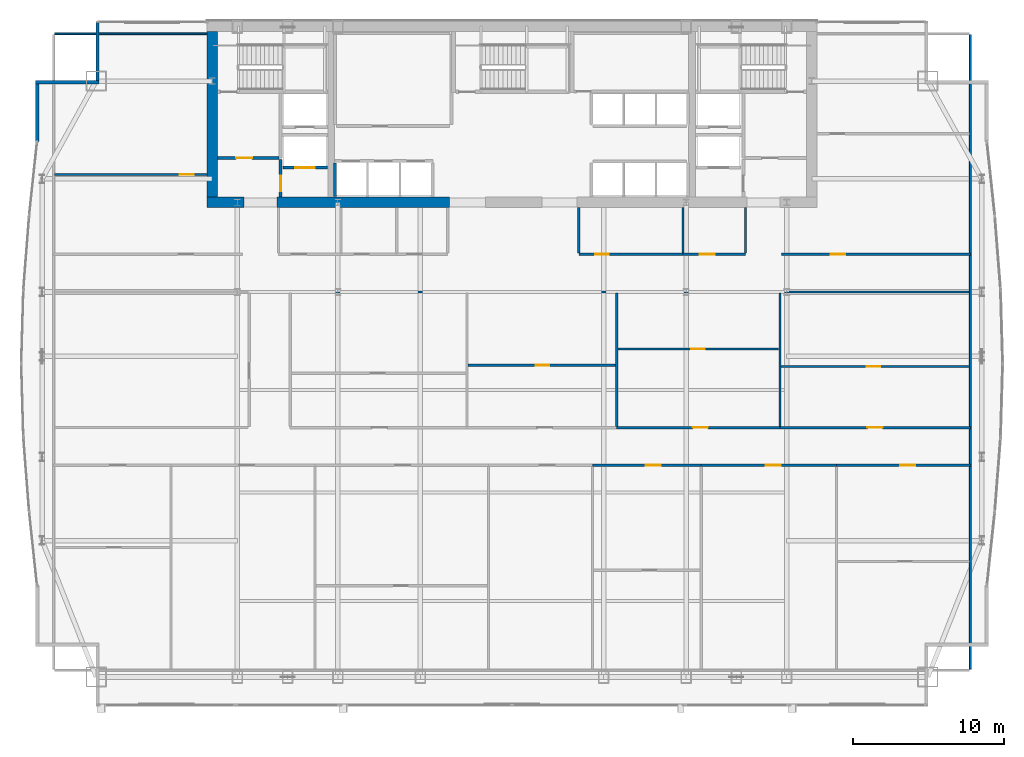
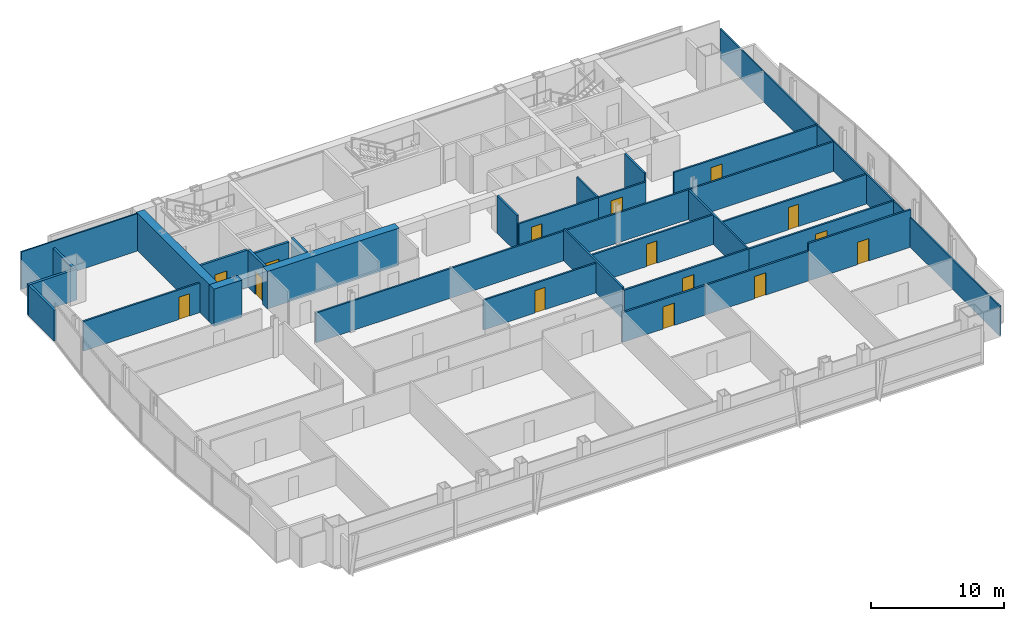
# One storey, part 25 of 29: 30 walls, 15 doors, 15 openings.
"""IFC4 building model written with IfcOpenShell, lengths in metres."""

import ifcopenshell
import ifcopenshell.guid

model = None  # the IFC model being written
_history = None  # IfcOwnerHistory: only IFC2X3 demands one
_inside = {}  # id of a spatial element -> (the spatial element, [elements in it])
_under = {}  # id of a project, library or spatial element -> (it, [spatial elements below it])
_declared = {}  # id of a project -> (the project, [libraries it declares])
_typed = {}  # id of a type object -> (the type object, [elements of that type])
_made_of = {}  # id of a material, layer set ... -> (it, [elements and type objects made of it])


def new_model(schema):
    """Start an empty IFC model of exactly this schema.

    Asked for "IFC4X3", IfcOpenShell would pick the latest addendum, in which some entities
    have other attributes; the version numbers below select the first issue.
    IFC2X3 requires an IfcOwnerHistory on every rooted entity: one is made here for all.
    """
    global model, _history
    if schema == "IFC4X3":
        model = ifcopenshell.file(schema_version=(4, 3, 0, 0))
    else:
        model = ifcopenshell.file(schema=schema)
    _inside.clear()
    _under.clear()
    _declared.clear()
    _typed.clear()
    _made_of.clear()
    _history = None
    if model.schema == "IFC2X3":
        org = make("IfcOrganization", Name="unknown")
        user = make(
            "IfcPersonAndOrganization",
            ThePerson=make("IfcPerson", FamilyName="unknown"),
            TheOrganization=org,
        )
        app = make(
            "IfcApplication",
            ApplicationDeveloper=org,
            Version="unknown",
            ApplicationFullName="unknown",
            ApplicationIdentifier="unknown",
        )
        _history = make(
            "IfcOwnerHistory",
            OwningUser=user,
            OwningApplication=app,
            ChangeAction="ADDED",
            CreationDate=0,
        )
    return model


def make(cls, **values):
    """One entity of the class cls with the attributes given. An attribute that is None is left unset."""
    return model.create_entity(
        cls, **{name: value for name, value in values.items() if value is not None}
    )


def rooted(cls, **values):
    """An entity with a GlobalId (a new one), such as an element, a storey or a relation."""
    return make(cls, GlobalId=ifcopenshell.guid.new(), OwnerHistory=_history, **values)


def si_unit(unit_type, name, prefix=None):
    """IfcSIUnit, for example si_unit("LENGTHUNIT", "METRE", prefix="MILLI")."""
    return make("IfcSIUnit", UnitType=unit_type, Prefix=prefix, Name=name)


def assignment(units):
    """IfcUnitAssignment: the units of a project."""
    return None if units is None else make("IfcUnitAssignment", Units=units)


def point(xyz):
    """IfcCartesianPoint."""
    return None if xyz is None else make("IfcCartesianPoint", Coordinates=xyz)


def direction(xyz):
    """IfcDirection."""
    return None if xyz is None else make("IfcDirection", DirectionRatios=xyz)


def frame(location, z_axis=None, x_axis=None):
    """IfcAxis2Placement3D, a coordinate frame: its origin and axes. An axis left out is left unset."""
    return make(
        "IfcAxis2Placement3D",
        Location=point(location),
        Axis=direction(z_axis),
        RefDirection=direction(x_axis),
    )


def frame_2d(location, x_axis=None):
    """IfcAxis2Placement2D, a coordinate frame in the plane: its origin and x axis."""
    return make(
        "IfcAxis2Placement2D", Location=point(location), RefDirection=direction(x_axis)
    )


def origin():
    """The frame at (0, 0, 0) with its axes left unset."""
    return frame((0.0, 0.0, 0.0))


def place(relative_to, where):
    """IfcLocalPlacement: puts the frame where relative to a parent placement (None: the world)."""
    return make(
        "IfcLocalPlacement", PlacementRelTo=relative_to, RelativePlacement=where
    )


def context(
    kind, dimensions, precision=None, world=None, true_north=None, identifier=None
):
    """IfcGeometricRepresentationContext, for example the 3D "Model" context."""
    return make(
        "IfcGeometricRepresentationContext",
        ContextIdentifier=identifier,
        ContextType=kind,
        CoordinateSpaceDimension=dimensions,
        Precision=precision,
        WorldCoordinateSystem=world,
        TrueNorth=true_north,
    )


def subcontext(parent, identifier, kind, view, scale=None):
    """IfcGeometricRepresentationSubContext, for example "Body" below "Model"."""
    return make(
        "IfcGeometricRepresentationSubContext",
        ContextIdentifier=identifier,
        ContextType=kind,
        ParentContext=parent,
        TargetScale=scale,
        TargetView=view,
    )


def project(units=None, contexts=None):
    """IfcProject with its units and contexts."""
    return rooted(
        "IfcProject",
        Name="project",
        RepresentationContexts=contexts,
        UnitsInContext=assignment(units),
    )


def spatial(cls, under=None, at=None, **own):
    """A site, building, storey or space (cls), placed at a placement, below another one or the project."""
    s = rooted(cls, ObjectPlacement=at, **own)
    if under is not None:
        _under.setdefault(under.id(), (under, []))[1].append(s)
    return s


def profile(cls, at=None, kind="AREA", **sizes):
    """A parametric profile (cls). Its sizes go by their IFC names, for example OverallWidth=200.0."""
    return make(cls, ProfileType=kind, Position=at, **sizes)


def rectangle(**sizes):
    """IfcRectangleProfileDef."""
    return profile("IfcRectangleProfileDef", **sizes)


def extrude(swept, where, along, depth):
    """IfcExtrudedAreaSolid: the profile swept, set in the frame where, extruded along a direction by depth."""
    return make(
        "IfcExtrudedAreaSolid",
        SweptArea=swept,
        Position=where,
        ExtrudedDirection=direction(along),
        Depth=depth,
    )


def shape(context_of_items, identifier, shape_type, items):
    """IfcShapeRepresentation: the items that make up one representation, for example the "Body"."""
    return make(
        "IfcShapeRepresentation",
        ContextOfItems=context_of_items,
        RepresentationIdentifier=identifier,
        RepresentationType=shape_type,
        Items=items,
    )


def material(Name=None, Category=None):
    """IfcMaterial."""
    return make("IfcMaterial", Name=Name, Category=Category)


def layer(
    of_material, thickness, ventilated=None, Name=None, Category=None, Priority=None
):
    """IfcMaterialLayer: one layer of a wall or slab, of a material (None: an air gap)."""
    return make(
        "IfcMaterialLayer",
        Material=of_material,
        LayerThickness=thickness,
        IsVentilated=ventilated,
        Name=Name,
        Category=Category,
        Priority=Priority,
    )


def layer_set(layers, Name=None):
    """IfcMaterialLayerSet."""
    return make("IfcMaterialLayerSet", MaterialLayers=layers, LayerSetName=Name)


def made_of(thing, what):
    """Note that an element or type object is made of a material, layer set ...; save() writes the relation."""
    if what is not None:
        _made_of.setdefault(what.id(), (what, []))[1].append(thing)
    return thing


def type_object(cls, material=None, **own):
    """A type object (cls), such as IfcWallType, which elements share."""
    return made_of(rooted(cls, **own), material)


def element(
    cls,
    number,
    at=None,
    inside=None,
    cuts=None,
    type_object=None,
    material=None,
    context=None,
    identifier="Body",
    shape_type=None,
    held_by="IfcProductDefinitionShape",
    body=None,
    shapes=None,
    **own,
):
    """One element of the class cls, such as IfcWall. Its Tag is "e" and its number.

    at: its placement. inside: the storey or other place that contains it. cuts: it is an
    opening in that element (IfcRelVoidsElement). A single representation is given by context,
    identifier, shape_type and body (its items); several are given by shapes. held_by: the class
    of the entity that holds the representations. save() writes the other relations.
    """
    e = rooted(cls, Tag="e%d" % number, ObjectPlacement=at, **own)
    if body is not None:
        shapes = [shape(context, identifier, shape_type, body)]
    if shapes is not None:
        e.Representation = make(held_by, Representations=shapes)
    if inside is not None:
        _inside.setdefault(inside.id(), (inside, []))[1].append(e)
    if cuts is not None:
        rooted(
            "IfcRelVoidsElement", RelatingBuildingElement=cuts, RelatedOpeningElement=e
        )
    if type_object is not None:
        _typed.setdefault(type_object.id(), (type_object, []))[1].append(e)
    return made_of(e, material)


def fill(opening, filler):
    """IfcRelFillsElement: the door or window that sits in an opening."""
    return rooted(
        "IfcRelFillsElement",
        RelatingOpeningElement=opening,
        RelatedBuildingElement=filler,
    )


def aggregate(whole, parts):
    """IfcRelAggregates: a whole, such as a stair, and the parts it consists of."""
    return rooted("IfcRelAggregates", RelatingObject=whole, RelatedObjects=parts)


def save(model, path):
    """Write the relations noted so far, then the file.

    IfcRelAggregates (storeys below a building ...), IfcRelContainedInSpatialStructure (elements
    in a storey), IfcRelDefinesByType, IfcRelAssociatesMaterial and IfcRelDeclares: one each for
    every whole, place, type object, material and project.
    """
    for whole, parts in _under.values():
        aggregate(whole, parts)
    for where, things in _inside.values():
        rooted(
            "IfcRelContainedInSpatialStructure",
            RelatedElements=things,
            RelatingStructure=where,
        )
    for kind, things in _typed.values():
        rooted("IfcRelDefinesByType", RelatedObjects=things, RelatingType=kind)
    for what, things in _made_of.values():
        rooted("IfcRelAssociatesMaterial", RelatedObjects=things, RelatingMaterial=what)
    for by, libraries in _declared.values():
        rooted("IfcRelDeclares", RelatingContext=by, RelatedDefinitions=libraries)
    model.write(path)


model = new_model("IFC4")

# Units and contexts
model_context = context("Model", 3, precision=1e-05, world=origin(), true_north=direction((0.0, 1.0)))
body_context = subcontext(model_context, "Body", "Model", "MODEL_VIEW")
ifc_project = project(units=[si_unit("LENGTHUNIT", "METRE"), si_unit("AREAUNIT", "SQUARE_METRE"), si_unit("VOLUMEUNIT", "CUBIC_METRE"), si_unit("PLANEANGLEUNIT", "RADIAN"), si_unit("MASSUNIT", "GRAM", prefix="KILO")], contexts=[model_context])

# Site, building, storey
site_placement = place(None, origin())
site = spatial("IfcSite", under=ifc_project, at=site_placement, CompositionType="ELEMENT")
building_placement = place(site_placement, origin())
building = spatial("IfcBuilding", under=site, at=building_placement, Name="Khoronbel Lancet Exchange", CompositionType="ELEMENT")
storey_placement = place(building_placement, frame((0.0, 0.0, 143.39990234375)))
storey = spatial("IfcBuildingStorey", under=building, at=storey_placement, Name="L35", CompositionType="ELEMENT", Elevation=143.39990234375)

# Walls
ifc_material_1 = material(Name="Concrete C80/95", Category="concrete")
ifc_layer_1 = layer(ifc_material_1, 0.699951171875, Name="Concrete C80/95")
ifc_layer_set_1 = layer_set([ifc_layer_1], Name="Concrete C80/95")
wall_type_1 = type_object("IfcWallType", Name="WL-CW2", PredefinedType="SHEAR", material=ifc_layer_set_1)
wall_1_placement = place(storey_placement, frame((16.550048828125, 42.0, 0.0), z_axis=(0.0, 0.0, 1.0), x_axis=(0.0, 1.0, 0.0)))
element("IfcWall", 1, at=wall_1_placement, inside=storey, type_object=wall_type_1, Name="Level L35 rear core west shear wall", PredefinedType="SHEAR", context=body_context, shape_type="SweptSolid", body=[
    extrude(rectangle(XDim=11.0, YDim=0.699951171875, at=frame_2d((5.5, 0.0))), origin(), (0.0, 0.0, 1.0), 3.440185546875),
])
wall_2_placement = place(storey_placement, frame((18.64990234375, 41.64990234375, 0.0), z_axis=(0.0, 0.0, 1.0), x_axis=(-1.0, 0.0, 0.0)))
element("IfcWall", 2, at=wall_2_placement, inside=storey, type_object=wall_type_1, Name="Level L35 rear core south shear wall pier P1", PredefinedType="SHEAR", context=body_context, shape_type="SweptSolid", body=[
    extrude(rectangle(XDim=2.449951171875, YDim=0.699951171875, at=frame_2d((1.22509765625, 0.0))), origin(), (0.0, 0.0, 1.0), 3.440185546875),
])
wall_3_placement = place(storey_placement, frame((32.300048828125, 41.64990234375, 0.0), z_axis=(0.0, 0.0, 1.0), x_axis=(-1.0, 0.0, 0.0)))
element("IfcWall", 3, at=wall_3_placement, inside=storey, type_object=wall_type_1, Name="Level L35 rear core south shear wall pier P2", PredefinedType="SHEAR", context=body_context, shape_type="SweptSolid", body=[
    extrude(rectangle(XDim=11.449951171875, YDim=0.699951171875, at=frame_2d((5.72509765625, 0.0))), origin(), (0.0, 0.0, 1.0), 3.440185546875),
])
ifc_material_2 = material(Name="Precast concrete C40/50", Category="concrete")
ifc_layer_2 = layer(ifc_material_2, 0.25, Name="Precast concrete C40/50")
ifc_layer_set_2 = layer_set([ifc_layer_2], Name="Precast concrete C40/50")
wall_type_2 = type_object("IfcWallType", Name="WL-EXT250", PredefinedType="SOLIDWALL", material=ifc_layer_set_2)
wall_4_placement = place(storey_placement, frame((4.93994140625, 45.67529296875, 0.0), z_axis=(0.0, 0.0, 1.0), x_axis=(0.0, 1.0, 0.0)))
element("IfcWall", 4, at=wall_4_placement, inside=storey, type_object=wall_type_2, Name="Level L35 notched-corner limestone pier 10", PredefinedType="SOLIDWALL", context=body_context, shape_type="SweptSolid", body=[
    extrude(rectangle(XDim=3.82470703125, YDim=0.219970703125, at=frame_2d((1.912353515625, 0.0))), origin(), (0.0, 0.0, 1.0), 2.830078125),
])
wall_5_placement = place(storey_placement, frame((4.830078125, 49.610107421875, 0.0), z_axis=(0.0, 0.0, 1.0), x_axis=(1.0, 0.0, 0.0)))
element("IfcWall", 5, at=wall_5_placement, inside=storey, type_object=wall_type_2, Name="Level L35 notched-corner limestone pier 11", PredefinedType="SOLIDWALL", context=body_context, shape_type="SweptSolid", body=[
    extrude(rectangle(XDim=4.219970703125, YDim=0.219970703125, at=frame_2d((2.10986328125, 0.0))), origin(), (0.0, 0.0, 1.0), 2.830078125),
])
wall_6_placement = place(storey_placement, frame((8.93994140625, 49.719970703125, 0.0), z_axis=(0.0, 0.0, 1.0), x_axis=(0.0, 1.0, 0.0)))
element("IfcWall", 6, at=wall_6_placement, inside=storey, type_object=wall_type_2, Name="Level L35 notched-corner limestone pier 12", PredefinedType="SOLIDWALL", context=body_context, shape_type="SweptSolid", body=[
    extrude(rectangle(XDim=3.909912109375, YDim=0.219970703125, at=frame_2d((1.955078125, 0.0))), origin(), (0.0, 0.0, 1.0), 2.830078125),
])
ifc_material_3 = material(Name="Acoustic Metal-Stud & Mineral-Wool Gypsum Partition 120 mm", Category="gypsum")
ifc_layer_3 = layer(ifc_material_3, 0.1201171875, Name="Acoustic Metal-Stud & Mineral-Wool Gypsum Partition 120 mm")
ifc_layer_set_3 = layer_set([ifc_layer_3], Name="Acoustic Metal-Stud & Mineral-Wool Gypsum Partition 120 mm")
wall_type_3 = type_object("IfcWallType", Name="WL-PRT120", PredefinedType="PARTITIONING", material=ifc_layer_set_3)
wall_7_placement = place(storey_placement, frame((40.8798828125, 38.280029296875, 0.0), z_axis=(0.0, 0.0, 1.0), x_axis=(0.0, 1.0, 0.0)))
element("IfcWall", 7, at=wall_7_placement, inside=storey, type_object=wall_type_3, Name="Level L35 interior partition PW-NP-0", PredefinedType="PARTITIONING", context=body_context, shape_type="SweptSolid", body=[
    extrude(rectangle(XDim=3.02001953125, YDim=0.14990234375, at=frame_2d((1.510009765625, 0.0))), origin(), (0.0, 0.0, 1.0), 3.440185546875),
])
wall_8_placement = place(storey_placement, frame((47.800048828125, 38.280029296875, 0.0), z_axis=(0.0, 0.0, 1.0), x_axis=(0.0, 1.0, 0.0)))
element("IfcWall", 8, at=wall_8_placement, inside=storey, type_object=wall_type_3, Name="Level L35 interior partition PW-NP-M", PredefinedType="PARTITIONING", context=body_context, shape_type="SweptSolid", body=[
    extrude(rectangle(XDim=3.02001953125, YDim=0.14990234375, at=frame_2d((1.510009765625, 0.0))), origin(), (0.0, 0.0, 1.0), 2.72998046875),
])
wall_9_placement = place(storey_placement, frame((51.949951171875, 38.280029296875, 0.0), z_axis=(0.0, 0.0, 1.0), x_axis=(0.0, 1.0, 0.0)))
element("IfcWall", 9, at=wall_9_placement, inside=storey, type_object=wall_type_3, Name="Level L35 interior partition PW-NP-1", PredefinedType="PARTITIONING", context=body_context, shape_type="SweptSolid", body=[
    extrude(rectangle(XDim=3.02001953125, YDim=0.14990234375, at=frame_2d((1.510009765625, 0.0))), origin(), (0.0, 0.0, 1.0), 3.440185546875),
])

# Wall, opening, door
wall_10_placement = place(storey_placement, frame((6.094970703125, 43.5, 0.0), z_axis=(0.0, 0.0, 1.0), x_axis=(1.0, 0.0, 0.0)))
wall_10 = element("IfcWall", 10, at=wall_10_placement, inside=storey, type_object=wall_type_3, Name="Level L35 interior partition PW-NW-H", PredefinedType="PARTITIONING", context=body_context, shape_type="SweptSolid", body=[
    extrude(rectangle(XDim=10.10498046875, YDim=0.14990234375, at=frame_2d((5.052490234375, 0.0))), origin(), (0.0, 0.0, 1.0), 2.72998046875),
])
opening_1_placement = place(wall_10_placement, frame((8.320068359375, 0.0, 0.0)))
opening_1 = element("IfcOpeningElement", 11, at=opening_1_placement, cuts=wall_10, Name="Opening D5", PredefinedType="OPENING", context=body_context, shape_type="SweptSolid", body=[
    extrude(rectangle(XDim=0.89990234375, YDim=2.050048828125, at=frame_2d((0.449951171875, 1.02490234375))), frame((0.0, 0.0849609375, 0.0), z_axis=(0.0, -1.0, 0.0), x_axis=(1.0, 0.0, 0.0)), (0.0, 0.0, 1.0), 0.169921875),
])
ifc_material_4 = material(Name="Acoustic Timber Pantry & Support Door", Category="wood")
door_type_1 = type_object("IfcDoorType", Name="DR-D5", OperationType="NOTDEFINED", PredefinedType="DOOR", material=ifc_material_4)
door_1_placement = place(opening_1_placement, origin())
door_1 = element("IfcDoor", 12, at=door_1_placement, inside=storey, type_object=door_type_1, Name="NW north room door L35-1", OperationType="SINGLE_SWING_RIGHT", OverallHeight=2.050048828125, OverallWidth=0.89990234375, PredefinedType="DOOR", context=body_context, shape_type="SweptSolid", body=[
    extrude(rectangle(XDim=0.89990234375, YDim=2.050048828125, at=frame_2d((0.449951171875, 1.02490234375))), frame((0.0, 0.02490234375, 0.0), z_axis=(0.0, -1.0, 0.0), x_axis=(1.0, 0.0, 0.0)), (0.0, 0.0, 1.0), 0.050048828125),
])
fill(opening_1, door_1)

wall_11_placement = place(storey_placement, frame((33.54638671875, 30.840087890625, 0.0), z_axis=(0.0, 0.0, 1.0), x_axis=(1.0, 0.0, 0.0)))
wall_11 = element("IfcWall", 13, at=wall_11_placement, inside=storey, type_object=wall_type_3, Name="Level L35 interior partition PW-Z2N-H2", PredefinedType="PARTITIONING", context=body_context, shape_type="SweptSolid", body=[
    extrude(rectangle(XDim=9.770751953125, YDim=0.14990234375, at=frame_2d((4.88525390625, 0.0))), origin(), (0.0, 0.0, 1.0), 2.72998046875),
])
opening_2_placement = place(wall_11_placement, frame((4.468994140625, 0.0, 0.0)))
opening_2 = element("IfcOpeningElement", 14, at=opening_2_placement, cuts=wall_11, Name="Opening D5", PredefinedType="OPENING", context=body_context, shape_type="SweptSolid", body=[
    extrude(rectangle(XDim=0.89990234375, YDim=2.050048828125, at=frame_2d((0.449951171875, 1.02490234375))), frame((0.0, 0.0849609375, 0.0), z_axis=(0.0, -1.0, 0.0), x_axis=(1.0, 0.0, 0.0)), (0.0, 0.0, 1.0), 0.169921875),
])
door_2_placement = place(opening_2_placement, origin())
door_2 = element("IfcDoor", 15, at=door_2_placement, inside=storey, type_object=door_type_1, Name="Z2N inner door 2 L35-1", OperationType="SINGLE_SWING_LEFT", OverallHeight=2.050048828125, OverallWidth=0.89990234375, PredefinedType="DOOR", context=body_context, shape_type="SweptSolid", body=[
    extrude(rectangle(XDim=0.89990234375, YDim=2.050048828125, at=frame_2d((0.449951171875, 1.02490234375))), frame((0.0, 0.02490234375, 0.0), z_axis=(0.0, -1.0, 0.0), x_axis=(1.0, 0.0, 0.0)), (0.0, 0.0, 1.0), 0.050048828125),
])
fill(opening_2, door_2)

wall_12_placement = place(storey_placement, frame((43.477294921875, 31.919921875, 0.0), z_axis=(0.0, 0.0, 1.0), x_axis=(1.0, 0.0, 0.0)))
wall_12 = element("IfcWall", 16, at=wall_12_placement, inside=storey, type_object=wall_type_3, Name="Level L35 interior partition PW-Z2N-H3", PredefinedType="PARTITIONING", context=body_context, shape_type="SweptSolid", body=[
    extrude(rectangle(XDim=10.673583984375, YDim=0.14990234375, at=frame_2d((5.3369140625, 0.0))), origin(), (0.0, 0.0, 1.0), 2.72998046875),
])
opening_3_placement = place(wall_12_placement, frame((4.875, 0.0, 0.0)))
opening_3 = element("IfcOpeningElement", 17, at=opening_3_placement, cuts=wall_12, Name="Opening D5", PredefinedType="OPENING", context=body_context, shape_type="SweptSolid", body=[
    extrude(rectangle(XDim=0.89990234375, YDim=2.050048828125, at=frame_2d((0.449951171875, 1.02490234375))), frame((0.0, 0.0849609375, 0.0), z_axis=(0.0, -1.0, 0.0), x_axis=(1.0, 0.0, 0.0)), (0.0, 0.0, 1.0), 0.169921875),
])
door_3_placement = place(opening_3_placement, origin())
door_3 = element("IfcDoor", 18, at=door_3_placement, inside=storey, type_object=door_type_1, Name="Z2N inner door 3 L35-1", OperationType="SINGLE_SWING_LEFT", OverallHeight=2.050048828125, OverallWidth=0.89990234375, PredefinedType="DOOR", context=body_context, shape_type="SweptSolid", body=[
    extrude(rectangle(XDim=0.89990234375, YDim=2.050048828125, at=frame_2d((0.449951171875, 1.02490234375))), frame((0.0, 0.02490234375, 0.0), z_axis=(0.0, -1.0, 0.0), x_axis=(1.0, 0.0, 0.0)), (0.0, 0.0, 1.0), 0.050048828125),
])
fill(opening_3, door_3)

wall_13_placement = place(storey_placement, frame((54.310791015625, 30.75, 0.0), z_axis=(0.0, 0.0, 1.0), x_axis=(1.0, 0.0, 0.0)))
wall_13 = element("IfcWall", 19, at=wall_13_placement, inside=storey, type_object=wall_type_3, Name="Level L35 interior partition PW-Z2N-H4", PredefinedType="PARTITIONING", context=body_context, shape_type="SweptSolid", body=[
    extrude(rectangle(XDim=12.494140625, YDim=0.14990234375, at=frame_2d((6.2470703125, 0.0))), origin(), (0.0, 0.0, 1.0), 2.72998046875),
])
opening_4_placement = place(wall_13_placement, frame((5.6875, 0.0, 0.0)))
opening_4 = element("IfcOpeningElement", 20, at=opening_4_placement, cuts=wall_13, Name="Opening D5", PredefinedType="OPENING", context=body_context, shape_type="SweptSolid", body=[
    extrude(rectangle(XDim=0.89990234375, YDim=2.050048828125, at=frame_2d((0.449951171875, 1.02490234375))), frame((0.0, 0.0849609375, 0.0), z_axis=(0.0, -1.0, 0.0), x_axis=(1.0, 0.0, 0.0)), (0.0, 0.0, 1.0), 0.169921875),
])
door_4_placement = place(opening_4_placement, origin())
door_4 = element("IfcDoor", 21, at=door_4_placement, inside=storey, type_object=door_type_1, Name="Z2N inner door 4 L35-1", OperationType="SINGLE_SWING_LEFT", OverallHeight=2.050048828125, OverallWidth=0.89990234375, PredefinedType="DOOR", context=body_context, shape_type="SweptSolid", body=[
    extrude(rectangle(XDim=0.89990234375, YDim=2.050048828125, at=frame_2d((0.449951171875, 1.02490234375))), frame((0.0, 0.02490234375, 0.0), z_axis=(0.0, -1.0, 0.0), x_axis=(1.0, 0.0, 0.0)), (0.0, 0.0, 1.0), 0.050048828125),
])
fill(opening_4, door_4)

# Walls
wall_14_placement = place(storey_placement, frame((66.8701171875, 10.6650390625, 0.0), z_axis=(0.0, 0.0, 1.0), x_axis=(0.0, 1.0, 0.0)))
element("IfcWall", 22, at=wall_14_placement, inside=storey, type_object=wall_type_3, Name="Level L35 interior partition PW-LIN-E", PredefinedType="PARTITIONING", context=body_context, shape_type="SweptSolid", body=[
    extrude(rectangle(XDim=42.10986328125, YDim=0.1201171875, at=frame_2d((21.054931640625, 0.0))), origin(), (0.0, 0.0, 1.0), 2.72998046875),
])
wall_15_placement = place(storey_placement, frame((6.094970703125, 52.840087890625, 0.0), z_axis=(0.0, 0.0, 1.0), x_axis=(1.0, 0.0, 0.0)))
element("IfcWall", 23, at=wall_15_placement, inside=storey, type_object=wall_type_3, Name="Level L35 interior partition PW-LIN-NW", PredefinedType="PARTITIONING", context=body_context, shape_type="SweptSolid", body=[
    extrude(rectangle(XDim=10.10498046875, YDim=0.1201171875, at=frame_2d((5.052490234375, 0.0))), origin(), (0.0, 0.0, 1.0), 3.440185546875),
])

# Wall, opening, door
ifc_material_5 = material(Name="Fire-Rated Twin-Stud Acoustic Gypsum Partition 150 mm", Category="gypsum")
ifc_layer_4 = layer(ifc_material_5, 0.14990234375, Name="Fire-Rated Twin-Stud Acoustic Gypsum Partition 150 mm")
ifc_layer_set_4 = layer_set([ifc_layer_4], Name="Fire-Rated Twin-Stud Acoustic Gypsum Partition 150 mm")
wall_type_4 = type_object("IfcWallType", Name="WL-PRT150C", PredefinedType="PARTITIONING", material=ifc_layer_set_4)
wall_16_placement = place(storey_placement, frame((40.8798828125, 38.199951171875, 0.0), z_axis=(0.0, 0.0, 1.0), x_axis=(1.0, 0.0, 0.0)))
wall_16 = element("IfcWall", 24, at=wall_16_placement, inside=storey, type_object=wall_type_4, Name="Level L35 interior partition PW-NP-S1", PredefinedType="PARTITIONING", context=body_context, shape_type="SweptSolid", body=[
    extrude(rectangle(XDim=6.920166015625, YDim=0.14990234375, at=frame_2d((3.4599609375, 0.0))), origin(), (0.0, 0.0, 1.0), 2.72998046875),
])
opening_5_placement = place(wall_16_placement, frame((1.10009765625, 0.0, 0.0)))
opening_5 = element("IfcOpeningElement", 25, at=opening_5_placement, cuts=wall_16, Name="Opening D5", PredefinedType="OPENING", context=body_context, shape_type="SweptSolid", body=[
    extrude(rectangle(XDim=0.89990234375, YDim=2.050048828125, at=frame_2d((0.449951171875, 1.02490234375))), frame((0.0, 0.0849609375, 0.0), z_axis=(0.0, -1.0, 0.0), x_axis=(1.0, 0.0, 0.0)), (0.0, 0.0, 1.0), 0.169921875),
])
door_5_placement = place(opening_5_placement, origin())
door_5 = element("IfcDoor", 26, at=door_5_placement, inside=storey, type_object=door_type_1, Name="Floor refreshment pantry door L35-1", OperationType="SINGLE_SWING_RIGHT", OverallHeight=2.050048828125, OverallWidth=0.89990234375, PredefinedType="DOOR", context=body_context, shape_type="SweptSolid", body=[
    extrude(rectangle(XDim=0.89990234375, YDim=2.050048828125, at=frame_2d((0.449951171875, 1.02490234375))), frame((0.0, 0.02490234375, 0.0), z_axis=(0.0, -1.0, 0.0), x_axis=(1.0, 0.0, 0.0)), (0.0, 0.0, 1.0), 0.050048828125),
])
fill(opening_5, door_5)

wall_17_placement = place(storey_placement, frame((47.800048828125, 38.199951171875, 0.0), z_axis=(0.0, 0.0, 1.0), x_axis=(1.0, 0.0, 0.0)))
wall_17 = element("IfcWall", 27, at=wall_17_placement, inside=storey, type_object=wall_type_4, Name="Level L35 interior partition PW-NP-S2", PredefinedType="PARTITIONING", context=body_context, shape_type="SweptSolid", body=[
    extrude(rectangle(XDim=4.14990234375, YDim=0.14990234375, at=frame_2d((2.074951171875, 0.0))), origin(), (0.0, 0.0, 1.0), 2.72998046875),
])
opening_6_placement = place(wall_17_placement, frame((1.10009765625, 0.0, 0.0)))
opening_6 = element("IfcOpeningElement", 28, at=opening_6_placement, cuts=wall_17, Name="Opening D2", PredefinedType="OPENING", context=body_context, shape_type="SweptSolid", body=[
    extrude(rectangle(XDim=1.0, YDim=2.050048828125, at=frame_2d((0.5, 1.02490234375))), frame((0.0, 0.0849609375, 0.0), z_axis=(0.0, -1.0, 0.0), x_axis=(1.0, 0.0, 0.0)), (0.0, 0.0, 1.0), 0.169921875),
])
ifc_material_6 = material(Name="Acoustic Veneered Timber & Bronze Frame Door", Category="wood")
door_type_2 = type_object("IfcDoorType", Name="DR-D2", OperationType="NOTDEFINED", PredefinedType="DOOR", material=ifc_material_6)
door_6_placement = place(opening_6_placement, origin())
door_6 = element("IfcDoor", 29, at=door_6_placement, inside=storey, type_object=door_type_2, Name="Floor store door L35-1", OperationType="SINGLE_SWING_LEFT", OverallHeight=2.050048828125, OverallWidth=1.0, PredefinedType="DOOR", context=body_context, shape_type="SweptSolid", body=[
    extrude(rectangle(XDim=1.0, YDim=2.050048828125, at=frame_2d((0.5, 1.02490234375))), frame((0.0, 0.02490234375, 0.0), z_axis=(0.0, -1.0, 0.0), x_axis=(1.0, 0.0, 0.0)), (0.0, 0.0, 1.0), 0.050048828125),
])
fill(opening_6, door_6)

wall_18_placement = place(storey_placement, frame((54.35009765625, 38.199951171875, 0.0), z_axis=(0.0, 0.0, 1.0), x_axis=(1.0, 0.0, 0.0)))
wall_18 = element("IfcWall", 30, at=wall_18_placement, inside=storey, type_object=wall_type_4, Name="Level L35 interior partition PW-NE-S", PredefinedType="PARTITIONING", context=body_context, shape_type="SweptSolid", body=[
    extrude(rectangle(XDim=12.52001953125, YDim=0.14990234375, at=frame_2d((6.260009765625, 0.0))), origin(), (0.0, 0.0, 1.0), 2.72998046875),
])
opening_7_placement = place(wall_18_placement, frame((3.25, 0.0, 0.0)))
opening_7 = element("IfcOpeningElement", 31, at=opening_7_placement, cuts=wall_18, Name="Opening D1", PredefinedType="OPENING", context=body_context, shape_type="SweptSolid", body=[
    extrude(rectangle(XDim=0.949951171875, YDim=2.050048828125, at=frame_2d((0.47509765625, 1.02490234375))), frame((0.0, 0.0849609375, 0.0), z_axis=(0.0, -1.0, 0.0), x_axis=(1.0, 0.0, 0.0)), (0.0, 0.0, 1.0), 0.169921875),
])
door_type_3 = type_object("IfcDoorType", Name="DR-D1", OperationType="NOTDEFINED", PredefinedType="DOOR", material=ifc_material_6)
door_7_placement = place(opening_7_placement, origin())
door_7 = element("IfcDoor", 32, at=door_7_placement, inside=storey, type_object=door_type_3, Name="NE corner room door L35-1", OperationType="SINGLE_SWING_LEFT", OverallHeight=2.050048828125, OverallWidth=0.949951171875, PredefinedType="DOOR", context=body_context, shape_type="SweptSolid", body=[
    extrude(rectangle(XDim=0.949951171875, YDim=2.050048828125, at=frame_2d((0.47509765625, 1.02490234375))), frame((0.0, 0.02490234375, 0.0), z_axis=(0.0, -1.0, 0.0), x_axis=(1.0, 0.0, 0.0)), (0.0, 0.0, 1.0), 0.050048828125),
])
fill(opening_7, door_7)

# Walls
wall_19_placement = place(storey_placement, frame((21.81005859375, 35.699951171875, 0.0), z_axis=(0.0, 0.0, 1.0), x_axis=(1.0, 0.0, 0.0)))
element("IfcWall", 33, at=wall_19_placement, inside=storey, type_object=wall_type_4, Name="Level L35 interior partition PW-Z2-EN", PredefinedType="PARTITIONING", context=body_context, shape_type="SweptSolid", body=[
    extrude(rectangle(XDim=44.994873046875, YDim=0.14990234375, at=frame_2d((22.49755859375, 0.0))), origin(), (0.0, 0.0, 1.0), 2.72998046875),
])
wall_20_placement = place(storey_placement, frame((43.397216796875, 26.784912109375, 0.0), z_axis=(0.0, 0.0, 1.0), x_axis=(0.0, 1.0, 0.0)))
element("IfcWall", 34, at=wall_20_placement, inside=storey, type_object=wall_type_4, Name="Level L35 interior partition PW-Z2N-V2", PredefinedType="PARTITIONING", context=body_context, shape_type="SweptSolid", body=[
    extrude(rectangle(XDim=8.835205078125, YDim=0.14990234375, at=frame_2d((4.41748046875, 0.0))), origin(), (0.0, 0.0, 1.0), 2.93017578125),
])
wall_21_placement = place(storey_placement, frame((54.230712890625, 26.784912109375, 0.0), z_axis=(0.0, 0.0, 1.0), x_axis=(0.0, 1.0, 0.0)))
element("IfcWall", 35, at=wall_21_placement, inside=storey, type_object=wall_type_4, Name="Level L35 interior partition PW-Z2N-V3", PredefinedType="PARTITIONING", context=body_context, shape_type="SweptSolid", body=[
    extrude(rectangle(XDim=8.835205078125, YDim=0.14990234375, at=frame_2d((4.41748046875, 0.0))), origin(), (0.0, 0.0, 1.0), 2.72998046875),
])

# Wall, opening, door
ifc_material_7 = material(Name="Fire-Rated Twin-Stud Acoustic Gypsum Partition 160 mm", Category="gypsum")
ifc_layer_5 = layer(ifc_material_7, 0.159912109375, Name="Fire-Rated Twin-Stud Acoustic Gypsum Partition 160 mm")
ifc_layer_set_5 = layer_set([ifc_layer_5], Name="Fire-Rated Twin-Stud Acoustic Gypsum Partition 160 mm")
wall_type_5 = type_object("IfcWallType", Name="WL-PRT160C", PredefinedType="PARTITIONING", material=ifc_layer_set_5)
wall_22_placement = place(storey_placement, frame((41.78857421875, 24.199951171875, 0.0), z_axis=(0.0, 0.0, 1.0), x_axis=(1.0, 0.0, 0.0)))
wall_22 = element("IfcWall", 36, at=wall_22_placement, inside=storey, type_object=wall_type_5, Name="Level L35 interior partition PW-Z2S-COR5", PredefinedType="PARTITIONING", context=body_context, shape_type="SweptSolid", body=[
    extrude(rectangle(XDim=7.214111328125, YDim=0.159912109375, at=frame_2d((3.60693359375, 0.0))), origin(), (0.0, 0.0, 1.0), 2.72998046875),
])
opening_8_placement = place(wall_22_placement, frame((3.52978515625, 0.0, 0.0)))
opening_8 = element("IfcOpeningElement", 37, at=opening_8_placement, cuts=wall_22, Name="Opening D2", PredefinedType="OPENING", context=body_context, shape_type="SweptSolid", body=[
    extrude(rectangle(XDim=1.0, YDim=2.050048828125, at=frame_2d((0.5, 1.02490234375))), frame((0.0, 0.08984375, 0.0), z_axis=(0.0, -1.0, 0.0), x_axis=(1.0, 0.0, 0.0)), (0.0, 0.0, 1.0), 0.179931640625),
])
door_8_placement = place(opening_8_placement, origin())
door_8 = element("IfcDoor", 38, at=door_8_placement, inside=storey, type_object=door_type_2, Name="Z2S bay 5 door L35-1", OperationType="SINGLE_SWING_RIGHT", OverallHeight=2.050048828125, OverallWidth=1.0, PredefinedType="DOOR", context=body_context, shape_type="SweptSolid", body=[
    extrude(rectangle(XDim=1.0, YDim=2.050048828125, at=frame_2d((0.5, 1.02490234375))), frame((0.0, 0.02490234375, 0.0), z_axis=(0.0, -1.0, 0.0), x_axis=(1.0, 0.0, 0.0)), (0.0, 0.0, 1.0), 0.050048828125),
])
fill(opening_8, door_8)

wall_23_placement = place(storey_placement, frame((49.002685546875, 24.199951171875, 0.0), z_axis=(0.0, 0.0, 1.0), x_axis=(1.0, 0.0, 0.0)))
wall_23 = element("IfcWall", 39, at=wall_23_placement, inside=storey, type_object=wall_type_5, Name="Level L35 interior partition PW-Z2S-COR6", PredefinedType="PARTITIONING", context=body_context, shape_type="SweptSolid", body=[
    extrude(rectangle(XDim=8.987548828125, YDim=0.159912109375, at=frame_2d((4.49365234375, 0.0))), origin(), (0.0, 0.0, 1.0), 2.72998046875),
])
opening_9_placement = place(wall_23_placement, frame((4.27490234375, 0.0, 0.0)))
opening_9 = element("IfcOpeningElement", 40, at=opening_9_placement, cuts=wall_23, Name="Opening D2", PredefinedType="OPENING", context=body_context, shape_type="SweptSolid", body=[
    extrude(rectangle(XDim=1.0, YDim=2.050048828125, at=frame_2d((0.5, 1.02490234375))), frame((0.0, 0.08984375, 0.0), z_axis=(0.0, -1.0, 0.0), x_axis=(1.0, 0.0, 0.0)), (0.0, 0.0, 1.0), 0.179931640625),
])
door_9_placement = place(opening_9_placement, origin())
door_9 = element("IfcDoor", 41, at=door_9_placement, inside=storey, type_object=door_type_2, Name="Z2S bay 6 door L35-1", OperationType="SINGLE_SWING_RIGHT", OverallHeight=2.050048828125, OverallWidth=1.0, PredefinedType="DOOR", context=body_context, shape_type="SweptSolid", body=[
    extrude(rectangle(XDim=1.0, YDim=2.050048828125, at=frame_2d((0.5, 1.02490234375))), frame((0.0, 0.02490234375, 0.0), z_axis=(0.0, -1.0, 0.0), x_axis=(1.0, 0.0, 0.0)), (0.0, 0.0, 1.0), 0.050048828125),
])
fill(opening_9, door_9)

wall_24_placement = place(storey_placement, frame((57.990234375, 24.199951171875, 0.0), z_axis=(0.0, 0.0, 1.0), x_axis=(1.0, 0.0, 0.0)))
wall_24 = element("IfcWall", 42, at=wall_24_placement, inside=storey, type_object=wall_type_5, Name="Level L35 interior partition PW-Z2S-COR7", PredefinedType="PARTITIONING", context=body_context, shape_type="SweptSolid", body=[
    extrude(rectangle(XDim=8.8798828125, YDim=0.159912109375, at=frame_2d((4.43994140625, 0.0))), origin(), (0.0, 0.0, 1.0), 3.440185546875),
])
opening_10_placement = place(wall_24_placement, frame((4.2294921875, 0.0, 0.0)))
opening_10 = element("IfcOpeningElement", 43, at=opening_10_placement, cuts=wall_24, Name="Opening D2", PredefinedType="OPENING", context=body_context, shape_type="SweptSolid", body=[
    extrude(rectangle(XDim=1.0, YDim=2.050048828125, at=frame_2d((0.5, 1.02490234375))), frame((0.0, 0.08984375, 0.0), z_axis=(0.0, -1.0, 0.0), x_axis=(1.0, 0.0, 0.0)), (0.0, 0.0, 1.0), 0.179931640625),
])
door_10_placement = place(opening_10_placement, origin())
door_10 = element("IfcDoor", 44, at=door_10_placement, inside=storey, type_object=door_type_2, Name="Z2S bay 7 door L35-1", OperationType="SINGLE_SWING_LEFT", OverallHeight=2.050048828125, OverallWidth=1.0, PredefinedType="DOOR", context=body_context, shape_type="SweptSolid", body=[
    extrude(rectangle(XDim=1.0, YDim=2.050048828125, at=frame_2d((0.5, 1.02490234375))), frame((0.0, 0.02490234375, 0.0), z_axis=(0.0, -1.0, 0.0), x_axis=(1.0, 0.0, 0.0)), (0.0, 0.0, 1.0), 0.050048828125),
])
fill(opening_10, door_10)

wall_25_placement = place(storey_placement, frame((43.397216796875, 26.699951171875, 0.0), z_axis=(0.0, 0.0, 1.0), x_axis=(1.0, 0.0, 0.0)))
wall_25 = element("IfcWall", 45, at=wall_25_placement, inside=storey, type_object=wall_type_5, Name="Level L35 interior partition PW-Z2N-COR3", PredefinedType="PARTITIONING", context=body_context, shape_type="SweptSolid", body=[
    extrude(rectangle(XDim=10.83349609375, YDim=0.159912109375, at=frame_2d((5.416748046875, 0.0))), origin(), (0.0, 0.0, 1.0), 2.72998046875),
])
opening_11_placement = place(wall_25_placement, frame((5.050048828125, 0.0, 0.0)))
opening_11 = element("IfcOpeningElement", 46, at=opening_11_placement, cuts=wall_25, Name="Opening D2", PredefinedType="OPENING", context=body_context, shape_type="SweptSolid", body=[
    extrude(rectangle(XDim=1.0, YDim=2.050048828125, at=frame_2d((0.5, 1.02490234375))), frame((0.0, 0.08984375, 0.0), z_axis=(0.0, -1.0, 0.0), x_axis=(1.0, 0.0, 0.0)), (0.0, 0.0, 1.0), 0.179931640625),
])
door_11_placement = place(opening_11_placement, origin())
door_11 = element("IfcDoor", 47, at=door_11_placement, inside=storey, type_object=door_type_2, Name="Z2N bay 3 door L35-1", OperationType="SINGLE_SWING_RIGHT", OverallHeight=2.050048828125, OverallWidth=1.0, PredefinedType="DOOR", context=body_context, shape_type="SweptSolid", body=[
    extrude(rectangle(XDim=1.0, YDim=2.050048828125, at=frame_2d((0.5, 1.02490234375))), frame((0.0, 0.02490234375, 0.0), z_axis=(0.0, -1.0, 0.0), x_axis=(1.0, 0.0, 0.0)), (0.0, 0.0, 1.0), 0.050048828125),
])
fill(opening_11, door_11)

wall_26_placement = place(storey_placement, frame((54.230712890625, 26.699951171875, 0.0), z_axis=(0.0, 0.0, 1.0), x_axis=(1.0, 0.0, 0.0)))
wall_26 = element("IfcWall", 48, at=wall_26_placement, inside=storey, type_object=wall_type_5, Name="Level L35 interior partition PW-Z2N-COR4", PredefinedType="PARTITIONING", context=body_context, shape_type="SweptSolid", body=[
    extrude(rectangle(XDim=12.639404296875, YDim=0.159912109375, at=frame_2d((6.31982421875, 0.0))), origin(), (0.0, 0.0, 1.0), 2.72998046875),
])
opening_12_placement = place(wall_26_placement, frame((5.80859375, 0.0, 0.0)))
opening_12 = element("IfcOpeningElement", 49, at=opening_12_placement, cuts=wall_26, Name="Opening D2", PredefinedType="OPENING", context=body_context, shape_type="SweptSolid", body=[
    extrude(rectangle(XDim=1.0, YDim=2.050048828125, at=frame_2d((0.5, 1.02490234375))), frame((0.0, 0.08984375, 0.0), z_axis=(0.0, -1.0, 0.0), x_axis=(1.0, 0.0, 0.0)), (0.0, 0.0, 1.0), 0.179931640625),
])
door_12_placement = place(opening_12_placement, origin())
door_12 = element("IfcDoor", 50, at=door_12_placement, inside=storey, type_object=door_type_2, Name="Z2N bay 4 door L35-1", OperationType="SINGLE_SWING_RIGHT", OverallHeight=2.050048828125, OverallWidth=1.0, PredefinedType="DOOR", context=body_context, shape_type="SweptSolid", body=[
    extrude(rectangle(XDim=1.0, YDim=2.050048828125, at=frame_2d((0.5, 1.02490234375))), frame((0.0, 0.02490234375, 0.0), z_axis=(0.0, -1.0, 0.0), x_axis=(1.0, 0.0, 0.0)), (0.0, 0.0, 1.0), 0.050048828125),
])
fill(opening_12, door_12)

ifc_material_8 = material(Name="Autoclaved Aerated Concrete Blockwork 200 mm", Category="masonry")
ifc_layer_6 = layer(ifc_material_8, 0.199951171875, Name="Autoclaved Aerated Concrete Blockwork 200 mm")
ifc_layer_set_6 = layer_set([ifc_layer_6], Name="Autoclaved Aerated Concrete Blockwork 200 mm")
wall_type_6 = type_object("IfcWallType", Name="WL-PRT200", PredefinedType="PARTITIONING", material=ifc_layer_set_6)
wall_27_placement = place(storey_placement, frame((24.2099609375, 43.949951171875, 0.0), z_axis=(0.0, 0.0, 1.0), x_axis=(-1.0, 0.0, 0.0)))
wall_27 = element("IfcWall", 51, at=wall_27_placement, inside=storey, type_object=wall_type_6, Name="Level L35 elevator hoistway landing front wall SVLW", PredefinedType="PARTITIONING", context=body_context, shape_type="SweptSolid", body=[
    extrude(rectangle(XDim=2.969970703125, YDim=0.199951171875, at=frame_2d((1.48486328125, 0.0))), origin(), (0.0, 0.0, 1.0), 3.440185546875),
])
opening_13_placement = place(wall_27_placement, frame((0.860107421875, 0.0, 0.0)))
opening_13 = element("IfcOpeningElement", 52, at=opening_13_placement, cuts=wall_27, Name="Opening LD-SVL1", PredefinedType="OPENING", context=body_context, shape_type="SweptSolid", body=[
    extrude(rectangle(XDim=1.300048828125, YDim=2.179931640625, at=frame_2d((0.64990234375, 1.08984375))), frame((0.0, 0.10986328125, 0.0), z_axis=(0.0, -1.0, 0.0), x_axis=(1.0, 0.0, 0.0)), (0.0, 0.0, 1.0), 0.219970703125),
])
ifc_material_9 = material(Name="Heavy-Duty Bi-Parting Goods Lift Landing Door", Category="steel")
door_type_4 = type_object("IfcDoorType", Name="DR-LD-SVL", OperationType="NOTDEFINED", PredefinedType="DOOR", material=ifc_material_9)
door_13_placement = place(opening_13_placement, origin())
door_13 = element("IfcDoor", 53, at=door_13_placement, inside=storey, type_object=door_type_4, Name="Elevator landing sliding door LD-SVL1 L35", OperationType="SLIDING_TO_LEFT", OverallHeight=2.179931640625, OverallWidth=1.300048828125, PredefinedType="DOOR", context=body_context, shape_type="SweptSolid", body=[
    extrude(rectangle(XDim=1.300048828125, YDim=2.179931640625, at=frame_2d((0.64990234375, 1.08984375))), frame((0.0, 0.02490234375, 0.0), z_axis=(0.0, -1.0, 0.0), x_axis=(1.0, 0.0, 0.0)), (0.0, 0.0, 1.0), 0.050048828125),
])
fill(opening_13, door_13)

wall_28_placement = place(storey_placement, frame((16.89990234375, 44.60009765625, 0.0), z_axis=(0.0, 0.0, 1.0), x_axis=(1.0, 0.0, 0.0)))
wall_28 = element("IfcWall", 54, at=wall_28_placement, inside=storey, type_object=wall_type_6, Name="Level L35 interior partition CW-FFLW-S", PredefinedType="PARTITIONING", context=body_context, shape_type="SweptSolid", body=[
    extrude(rectangle(XDim=4.10009765625, YDim=0.199951171875, at=frame_2d((2.050048828125, 0.0))), origin(), (0.0, 0.0, 1.0), 3.440185546875),
])
opening_14_placement = place(wall_28_placement, frame((1.25, 0.0, 0.0)))
opening_14 = element("IfcOpeningElement", 55, at=opening_14_placement, cuts=wall_28, Name="Opening FD1", PredefinedType="OPENING", context=body_context, shape_type="SweptSolid", body=[
    extrude(rectangle(XDim=1.050048828125, YDim=2.14990234375, at=frame_2d((0.52490234375, 1.074951171875))), frame((0.0, 0.10986328125, 0.0), z_axis=(0.0, -1.0, 0.0), x_axis=(1.0, 0.0, 0.0)), (0.0, 0.0, 1.0), 0.219970703125),
])
ifc_material_10 = material(Name="Fire-Rated Painted Steel Door Assembly", Category="steel")
door_type_5 = type_object("IfcDoorType", Name="DR-FD1", OperationType="NOTDEFINED", PredefinedType="DOOR", material=ifc_material_10)
door_14_placement = place(opening_14_placement, origin())
door_14 = element("IfcDoor", 56, at=door_14_placement, inside=storey, type_object=door_type_5, Name="West firefighting lobby FD90S door L35-1", OperationType="SINGLE_SWING_LEFT", OverallHeight=2.14990234375, OverallWidth=1.050048828125, PredefinedType="DOOR", context=body_context, shape_type="SweptSolid", body=[
    extrude(rectangle(XDim=1.050048828125, YDim=2.14990234375, at=frame_2d((0.52490234375, 1.074951171875))), frame((0.0, 0.02490234375, 0.0), z_axis=(0.0, -1.0, 0.0), x_axis=(1.0, 0.0, 0.0)), (0.0, 0.0, 1.0), 0.050048828125),
])
fill(opening_14, door_14)

wall_29_placement = place(storey_placement, frame((21.10009765625, 42.0, 0.0), z_axis=(0.0, 0.0, 1.0), x_axis=(0.0, 1.0, 0.0)))
wall_29 = element("IfcWall", 57, at=wall_29_placement, inside=storey, type_object=wall_type_6, Name="Level L35 interior partition CW-SVLW-W", PredefinedType="PARTITIONING", context=body_context, shape_type="SweptSolid", body=[
    extrude(rectangle(XDim=2.4951171875, YDim=0.199951171875, at=frame_2d((1.24755859375, 0.0))), origin(), (0.0, 0.0, 1.0), 3.440185546875),
])
opening_15_placement = place(wall_29_placement, frame((0.3798828125, 0.0, 0.0)))
opening_15 = element("IfcOpeningElement", 58, at=opening_15_placement, cuts=wall_29, Name="Opening FD1", PredefinedType="OPENING", context=body_context, shape_type="SweptSolid", body=[
    extrude(rectangle(XDim=1.050048828125, YDim=2.14990234375, at=frame_2d((0.52490234375, 1.074951171875))), frame((0.0, 0.10986328125, 0.0), z_axis=(0.0, -1.0, 0.0), x_axis=(1.0, 0.0, 0.0)), (0.0, 0.0, 1.0), 0.219970703125),
])
door_15_placement = place(opening_15_placement, origin())
door_15 = element("IfcDoor", 59, at=door_15_placement, inside=storey, type_object=door_type_5, Name="West service lift lobby door L35-1", OperationType="SINGLE_SWING_RIGHT", OverallHeight=2.14990234375, OverallWidth=1.050048828125, PredefinedType="DOOR", context=body_context, shape_type="SweptSolid", body=[
    extrude(rectangle(XDim=1.050048828125, YDim=2.14990234375, at=frame_2d((0.52490234375, 1.074951171875))), frame((0.0, 0.02490234375, 0.0), z_axis=(0.0, -1.0, 0.0), x_axis=(1.0, 0.0, 0.0)), (0.0, 0.0, 1.0), 0.050048828125),
])
fill(opening_15, door_15)

# Wall
wall_30_placement = place(storey_placement, frame((24.699951171875, 42.050048828125, 0.0), z_axis=(0.0, 0.0, 1.0), x_axis=(0.0, 1.0, 0.0)))
element("IfcWall", 60, at=wall_30_placement, inside=storey, type_object=wall_type_6, Name="Level L35 interior partition CW-PM-W", PredefinedType="PARTITIONING", context=body_context, shape_type="SweptSolid", body=[
    extrude(rectangle(XDim=2.199951171875, YDim=0.199951171875, at=frame_2d((1.10009765625, 0.0))), origin(), (0.0, 0.0, 1.0), 3.440185546875),
])

save(model, "model.ifc")
